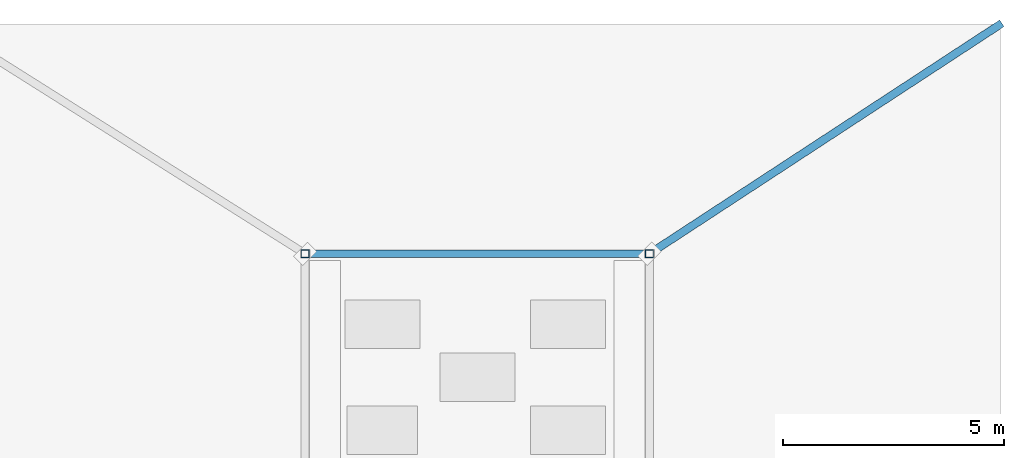
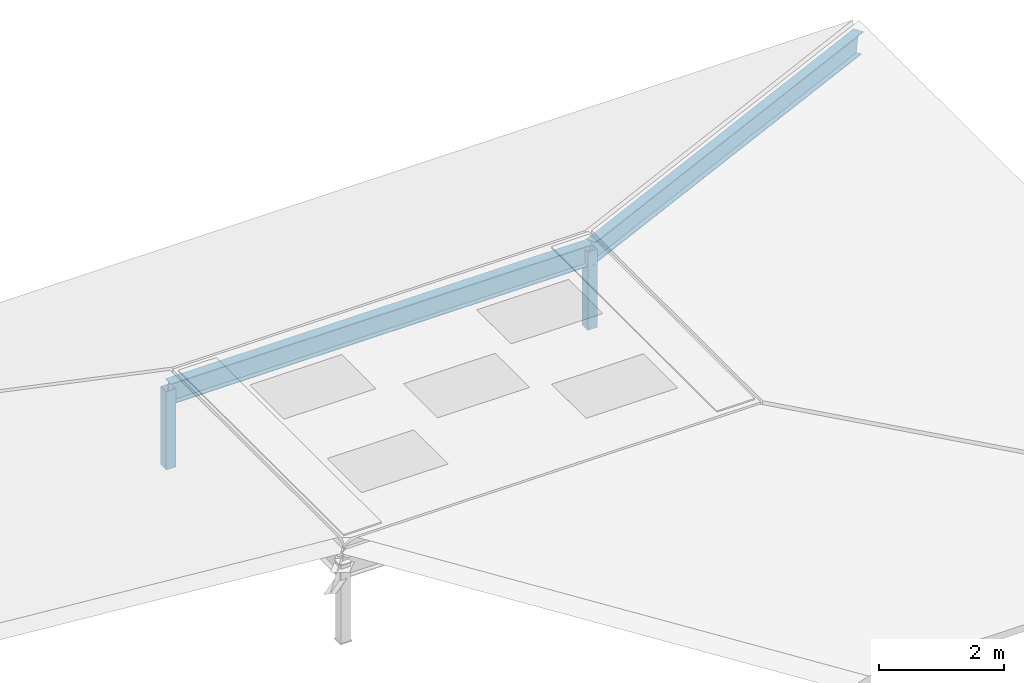
# One storey, part 3 of 5: 4 members.
"""IFC4 building model written with IfcOpenShell, lengths in metres."""

from ifc_helpers import new_model, si_unit, direction, frame, origin, origin_2d, place, context, subcontext, project, spatial, hollow_rectangle, i_section, extrude, material, material_profile, profile_set, type_object, element, save


model = new_model("IFC4")

# Units and contexts
model_context = context("Model", 3, precision=1e-05, world=origin(), true_north=direction((0.0, 1.0)))
body_context = subcontext(model_context, "Body", "Model", "MODEL_VIEW")
ifc_project = project(units=[si_unit("LENGTHUNIT", "METRE"), si_unit("AREAUNIT", "SQUARE_METRE"), si_unit("VOLUMEUNIT", "CUBIC_METRE"), si_unit("PLANEANGLEUNIT", "RADIAN"), si_unit("MASSUNIT", "GRAM", prefix="KILO")], contexts=[model_context])

# Site, building, storey
site_placement = place(None, origin())
site = spatial("IfcSite", under=ifc_project, at=site_placement, CompositionType="ELEMENT")
building_placement = place(site_placement, origin())
building = spatial("IfcBuilding", under=site, at=building_placement, Name="Celadon Cloister-Ring School", CompositionType="ELEMENT")
storey_placement = place(building_placement, frame((0.0, 0.0, 24.5)))
storey = spatial("IfcBuildingStorey", under=building, at=storey_placement, Name="RF", CompositionType="ELEMENT", Elevation=24.5)

# Members
ifc_material_1 = material(Name="Structural steel S355JR", Category="steel")
ifc_material_profile_1 = material_profile(ifc_material_1, hollow_rectangle(XDim=0.179931640625, YDim=0.179931640625, WallThickness=0.008056640625, at=origin_2d()), Name="HSS180X180X8")
ifc_profile_set_1 = profile_set([ifc_material_profile_1], Name="Structural steel S355JR")
member_type_1 = type_object("IfcMemberType", Name="MB-04", PredefinedType="BRACE", material=ifc_profile_set_1)
for number, where, z_axis, x_axis, name in (
    (1, (16.050048828125, 50.800048828125, -0.080078125), (0.0, 0.0, 1.0), (1.0, 0.0, 0.0), "Structural Member 0610"),
    (2, (8.25, 50.800048828125, -0.080078125), (0.0, 0.0, 1.0), (1.0, 0.0, 0.0), "Structural Member 0611"),
):
    element("IfcMember", number, at=place(storey_placement, frame(where, z_axis=z_axis, x_axis=x_axis)), inside=storey, type_object=member_type_1, Name=name, PredefinedType="BRACE", context=body_context, shape_type="SweptSolid", body=[
        extrude(hollow_rectangle(XDim=0.179931640625, YDim=0.179931640625, WallThickness=0.008056640625, at=origin_2d()), origin(), (0.0, 0.0, 1.0), 1.528076171875),
    ])
ifc_material_2 = material(Name="Structural steel S355JR", Category="steel")
ifc_material_profile_2 = material_profile(ifc_material_2, i_section(OverallWidth=0.177978515625, OverallDepth=0.406982421875, WebThickness=0.0078125, FlangeThickness=0.0126953125, at=origin_2d()), Name="W410X60")
ifc_profile_set_2 = profile_set([ifc_material_profile_2], Name="Structural steel S355JR")
member_type_2 = type_object("IfcMemberType", Name="MC-05", PredefinedType="CHORD", material=ifc_profile_set_2)
member_1_placement = place(storey_placement, frame((16.050048828125, 50.800048828125, 1.367919921875), z_axis=(-1.0, 0.0, 0.0), x_axis=(0.0, -1.0, 0.0)))
element("IfcMember", 3, at=member_1_placement, inside=storey, type_object=member_type_2, Name="Structural Member 0614", PredefinedType="CHORD", context=body_context, shape_type="SweptSolid", body=[
    extrude(i_section(OverallWidth=0.177978515625, OverallDepth=0.406982421875, WebThickness=0.0078125, FlangeThickness=0.0126953125, at=origin_2d()), origin(), (0.0, 0.0, 1.0), 7.800048828125),
])
ifc_material_3 = material(Name="Structural steel S355JR", Category="steel")
ifc_material_profile_3 = material_profile(ifc_material_3, i_section(OverallWidth=0.177978515625, OverallDepth=0.406982421875, WebThickness=0.0078125, FlangeThickness=0.0126953125, at=origin_2d()), Name="W410X60")
ifc_profile_set_3 = profile_set([ifc_material_profile_3], Name="Structural steel S355JR")
member_type_3 = type_object("IfcMemberType", Name="MR-04", PredefinedType="RAFTER", material=ifc_profile_set_3)
member_2_placement = place(storey_placement, frame((24.0, 56.0, -0.451904296875), z_axis=(-0.82193156195, -0.537613866596, 0.188148446481), x_axis=(0.547389921061, -0.836877693765, 0.0)))
element("IfcMember", 4, at=member_2_placement, inside=storey, type_object=member_type_3, Name="Structural Member 0618", PredefinedType="RAFTER", context=body_context, shape_type="SweptSolid", body=[
    extrude(i_section(OverallWidth=0.177978515625, OverallDepth=0.406982421875, WebThickness=0.0078125, FlangeThickness=0.0126953125, at=origin_2d()), origin(), (0.0, 0.0, 1.0), 9.67236328125),
])

save(model, "model.ifc")
